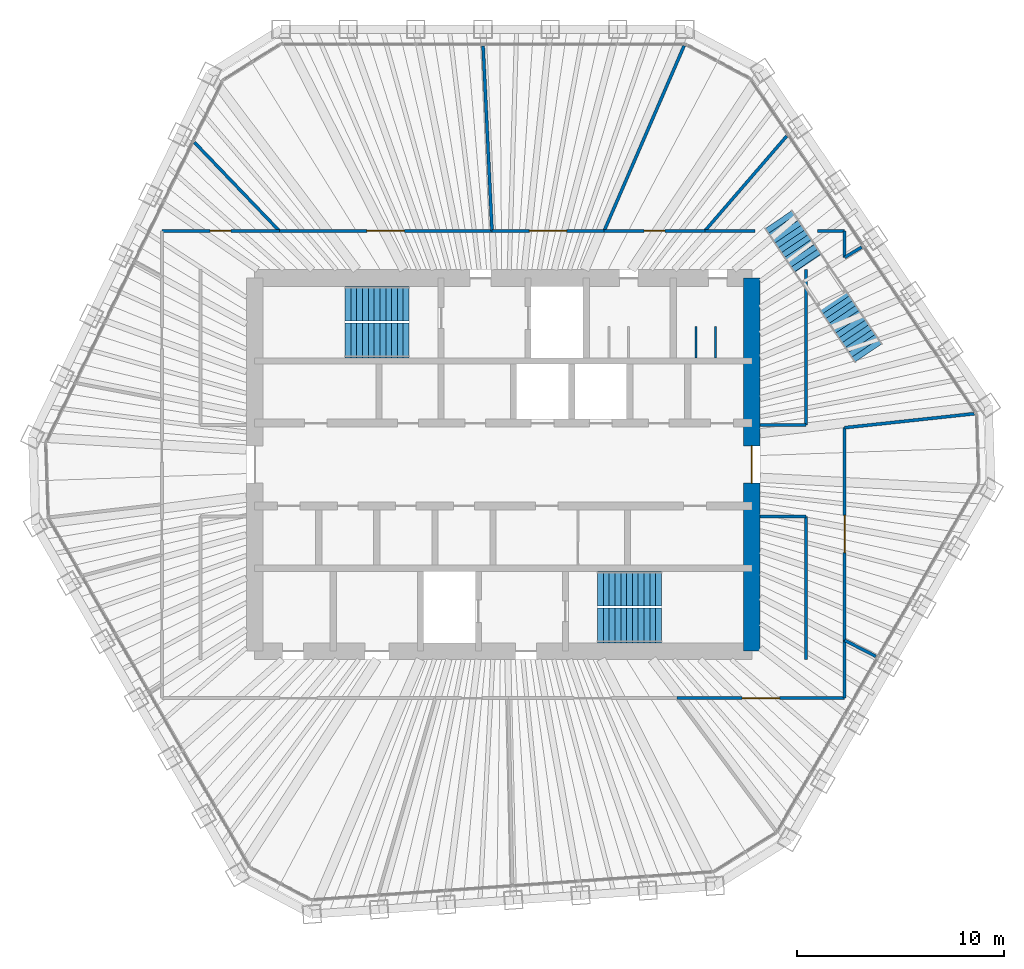
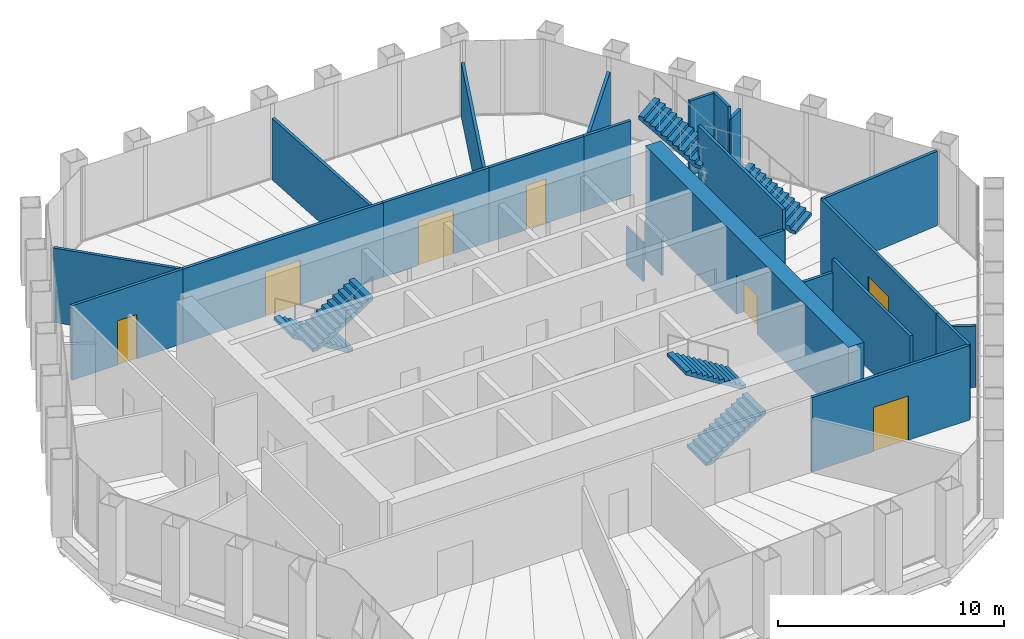
# One storey, part 13 of 14: 24 walls, 7 doors, 6 stair flights, 7 openings, 3 elements without a shape of their own.
"""IFC4 building model written with IfcOpenShell, lengths in metres."""

from ifc_helpers import new_model, si_unit, direction, frame, frame_2d, origin, place, context, subcontext, project, spatial, polyline, rectangle, outline, extrude, material, layer, layer_set, constituent, constituent_set, type_object, element, fill, aggregate, save


model = new_model("IFC4")

# Units and contexts
model_context = context("Model", 3, precision=1e-05, world=origin(), true_north=direction((0.0, 1.0)))
body_context = subcontext(model_context, "Body", "Model", "MODEL_VIEW")
ifc_project = project(units=[si_unit("LENGTHUNIT", "METRE"), si_unit("AREAUNIT", "SQUARE_METRE"), si_unit("VOLUMEUNIT", "CUBIC_METRE"), si_unit("PLANEANGLEUNIT", "RADIAN"), si_unit("MASSUNIT", "GRAM", prefix="KILO")], contexts=[model_context])

# Site, building, storey
site_placement = place(None, origin())
site = spatial("IfcSite", under=ifc_project, at=site_placement, CompositionType="ELEMENT")
building_placement = place(site_placement, origin())
building = spatial("IfcBuilding", under=site, at=building_placement, Name="Qingtian Harvest Tower", CompositionType="ELEMENT")
storey_placement = place(building_placement, frame((0.0, 0.0, 325.0)))
storey = spatial("IfcBuildingStorey", under=building, at=storey_placement, Name="L72", CompositionType="ELEMENT", Elevation=325.0)

# Wall, opening, door
ifc_material_1 = material(Name="Concrete fc' 70 MPa", Category="concrete")
ifc_layer_1 = layer(ifc_material_1, 0.800048828125)
ifc_layer_set_1 = layer_set([ifc_layer_1], Name="Core wall RC4 800")
wall_type_1 = type_object("IfcWallType", Name="Core wall RC4 800", PredefinedType="SHEAR", material=ifc_layer_set_1)
wall_1_placement = place(storey_placement, frame((12.0, -9.0, 0.0), z_axis=(0.0, 0.0, 1.0), x_axis=(0.0, 1.0, 0.0)))
wall_1 = element("IfcWall", 1, at=wall_1_placement, inside=storey, type_object=wall_type_1, Name="Core wall CE L72", PredefinedType="SHEAR", context=body_context, shape_type="SweptSolid", body=[
    extrude(rectangle(XDim=18.0, YDim=0.800048828125, at=frame_2d((9.0, 0.0))), origin(), (0.0, 0.0, 1.0), 4.199951171875),
])
opening_1_placement = place(wall_1_placement, frame((8.10009765625, 0.0, 0.0)))
opening_1 = element("IfcOpeningElement", 2, at=opening_1_placement, cuts=wall_1, Name="Opening FD2", PredefinedType="OPENING", context=body_context, shape_type="SweptSolid", body=[
    extrude(rectangle(XDim=1.800048828125, YDim=2.10009765625, at=frame_2d((0.89990234375, 1.050048828125))), frame((0.0, 0.409912109375, 0.0), z_axis=(0.0, -1.0, 0.0), x_axis=(1.0, 0.0, 0.0)), (0.0, 0.0, 1.0), 0.820068359375),
])
ifc_material_2 = material(Name="Steel-faced door leaf", Category="steel")
door_type_1 = type_object("IfcDoorType", Name="Fire door FD2 double 1 HR", OperationType="DOUBLE_DOOR_DOUBLE_SWING", PredefinedType="DOOR", material=ifc_material_2)
door_1_placement = place(opening_1_placement, origin())
door_1 = element("IfcDoor", 3, at=door_1_placement, inside=storey, type_object=door_type_1, Name="LOBBY-E door L72", OperationType="DOUBLE_DOOR_DOUBLE_SWING", OverallHeight=2.10009765625, OverallWidth=1.800048828125, PredefinedType="DOOR", context=body_context, shape_type="SweptSolid", body=[
    extrude(rectangle(XDim=1.800048828125, YDim=2.10009765625, at=frame_2d((0.89990234375, 1.050048828125))), frame((0.0, 0.02490234375, 0.0), z_axis=(0.0, -1.0, 0.0), x_axis=(1.0, 0.0, 0.0)), (0.0, 0.0, 1.0), 0.050048828125),
])
fill(opening_1, door_1)

# Walls
ifc_material_3 = material(Name="Gypsum board on steel studs", Category="steel")
ifc_layer_2 = layer(ifc_material_3, 0.14990234375)
ifc_layer_set_2 = layer_set([ifc_layer_2], Name="Partition PT1 150")
wall_type_2 = type_object("IfcWallType", Name="Partition PT1 150", PredefinedType="PARTITIONING", material=ifc_layer_set_2)
wall_2_placement = place(storey_placement, frame((17.98046875, -9.257080078125, 0.0), z_axis=(0.0, 0.0, 1.0), x_axis=(-0.889058145064, 0.457794292991, 0.0)))
element("IfcWall", 4, at=wall_2_placement, inside=storey, type_object=wall_type_2, Name="Conference room wall L72", PredefinedType="PARTITIONING", context=body_context, shape_type="SweptSolid", body=[
    extrude(rectangle(XDim=1.693115234375, YDim=0.14990234375, at=frame_2d((0.8466796875, 0.0))), origin(), (0.0, 0.0, 1.0), 3.330078125),
])
wall_3_placement = place(storey_placement, frame((16.47509765625, -8.48193359375, 0.0), z_axis=(0.0, 0.0, 1.0), x_axis=(0.0, -1.0, 0.0)))
element("IfcWall", 5, at=wall_3_placement, inside=storey, type_object=wall_type_2, Name="Conference room wall L72", PredefinedType="PARTITIONING", context=body_context, shape_type="SweptSolid", body=[
    extrude(rectangle(XDim=2.79296875, YDim=0.14990234375, at=frame_2d((1.396484375, 0.0))), origin(), (0.0, 0.0, 1.0), 4.030029296875),
])

# Wall, opening, door
wall_4_placement = place(storey_placement, frame((16.47509765625, -11.27490234375, 0.0), z_axis=(0.0, 0.0, 1.0), x_axis=(-1.0, 0.0, 0.0)))
wall_4 = element("IfcWall", 6, at=wall_4_placement, inside=storey, type_object=wall_type_2, Name="Conference room wall L72", PredefinedType="PARTITIONING", context=body_context, shape_type="SweptSolid", body=[
    extrude(rectangle(XDim=8.087890625, YDim=0.14990234375, at=frame_2d((4.0439453125, 0.0))), origin(), (0.0, 0.0, 1.0), 4.030029296875),
])
opening_2_placement = place(wall_4_placement, frame((3.14404296875, 0.0, 0.0)))
opening_2 = element("IfcOpeningElement", 7, at=opening_2_placement, cuts=wall_4, Name="Opening D3", PredefinedType="OPENING", context=body_context, shape_type="SweptSolid", body=[
    extrude(rectangle(XDim=1.800048828125, YDim=2.39990234375, at=frame_2d((0.89990234375, 1.199951171875))), frame((0.0, 0.0849609375, 0.0), z_axis=(0.0, -1.0, 0.0), x_axis=(1.0, 0.0, 0.0)), (0.0, 0.0, 1.0), 0.169921875),
])
ifc_material_4 = material(Name="Laminated timber door leaf", Category="wood")
door_type_2 = type_object("IfcDoorType", Name="Room door D3 double", OperationType="DOUBLE_DOOR_DOUBLE_SWING", PredefinedType="DOOR", material=ifc_material_4)
door_2_placement = place(opening_2_placement, origin())
door_2 = element("IfcDoor", 8, at=door_2_placement, inside=storey, type_object=door_type_2, Name="Conference room door L72", OperationType="DOUBLE_DOOR_DOUBLE_SWING", OverallHeight=2.39990234375, OverallWidth=1.800048828125, PredefinedType="DOOR", context=body_context, shape_type="SweptSolid", body=[
    extrude(rectangle(XDim=1.800048828125, YDim=2.39990234375, at=frame_2d((0.89990234375, 1.199951171875))), frame((0.0, 0.02490234375, 0.0), z_axis=(0.0, -1.0, 0.0), x_axis=(1.0, 0.0, 0.0)), (0.0, 0.0, 1.0), 0.050048828125),
])
fill(opening_2, door_2)

wall_5_placement = place(storey_placement, frame((-16.47509765625, 11.27490234375, 0.0), z_axis=(0.0, 0.0, 1.0), x_axis=(1.0, 0.0, 0.0)))
wall_5 = element("IfcWall", 9, at=wall_5_placement, inside=storey, type_object=wall_type_2, Name="Pantry wall L72", PredefinedType="PARTITIONING", context=body_context, shape_type="SweptSolid", body=[
    extrude(rectangle(XDim=5.667724609375, YDim=0.14990234375, at=frame_2d((2.833984375, 0.0))), origin(), (0.0, 0.0, 1.0), 4.030029296875),
])
opening_3_placement = place(wall_5_placement, frame((2.333740234375, 0.0, 0.0)))
opening_3 = element("IfcOpeningElement", 10, at=opening_3_placement, cuts=wall_5, Name="Opening D2", PredefinedType="OPENING", context=body_context, shape_type="SweptSolid", body=[
    extrude(rectangle(XDim=1.0, YDim=2.39990234375, at=frame_2d((0.5, 1.199951171875))), frame((0.0, 0.0849609375, 0.0), z_axis=(0.0, -1.0, 0.0), x_axis=(1.0, 0.0, 0.0)), (0.0, 0.0, 1.0), 0.169921875),
])
ifc_material_5 = material(Name="Laminated timber door leaf", Category="wood")
door_type_3 = type_object("IfcDoorType", Name="Room door D2 single", OperationType="SINGLE_SWING_LEFT", PredefinedType="DOOR", material=ifc_material_5)
door_3_placement = place(opening_3_placement, origin())
door_3 = element("IfcDoor", 11, at=door_3_placement, inside=storey, type_object=door_type_3, Name="Pantry door L72", OperationType="SINGLE_SWING_RIGHT", OverallHeight=2.39990234375, OverallWidth=1.0, PredefinedType="DOOR", context=body_context, shape_type="SweptSolid", body=[
    extrude(rectangle(XDim=1.0, YDim=2.39990234375, at=frame_2d((0.5, 1.199951171875))), frame((0.0, 0.02490234375, 0.0), z_axis=(0.0, -1.0, 0.0), x_axis=(1.0, 0.0, 0.0)), (0.0, 0.0, 1.0), 0.050048828125),
])
fill(opening_3, door_3)

# Wall
wall_6_placement = place(storey_placement, frame((-14.89990234375, 15.54443359375, 0.0), z_axis=(0.0, 0.0, 1.0), x_axis=(0.691984258941, -0.72191258846, 0.0)))
element("IfcWall", 12, at=wall_6_placement, inside=storey, type_object=wall_type_2, Name="Meeting room wall L72", PredefinedType="PARTITIONING", context=body_context, shape_type="SweptSolid", body=[
    extrude(rectangle(XDim=5.914306640625, YDim=0.14990234375, at=frame_2d((2.95703125, 0.0))), origin(), (0.0, 0.0, 1.0), 4.030029296875),
])

# Wall, opening, door
wall_7_placement = place(storey_placement, frame((-10.807373046875, 11.27490234375, 0.0), z_axis=(0.0, 0.0, 1.0), x_axis=(1.0, 0.0, 0.0)))
wall_7 = element("IfcWall", 13, at=wall_7_placement, inside=storey, type_object=wall_type_2, Name="Meeting room wall L72", PredefinedType="PARTITIONING", context=body_context, shape_type="SweptSolid", body=[
    extrude(rectangle(XDim=10.26416015625, YDim=0.14990234375, at=frame_2d((5.132080078125, 0.0))), origin(), (0.0, 0.0, 1.0), 4.030029296875),
])
opening_4_placement = place(wall_7_placement, frame((4.23193359375, 0.0, 0.0)))
opening_4 = element("IfcOpeningElement", 14, at=opening_4_placement, cuts=wall_7, Name="Opening D3", PredefinedType="OPENING", context=body_context, shape_type="SweptSolid", body=[
    extrude(rectangle(XDim=1.800048828125, YDim=2.39990234375, at=frame_2d((0.89990234375, 1.199951171875))), frame((0.0, 0.0849609375, 0.0), z_axis=(0.0, -1.0, 0.0), x_axis=(1.0, 0.0, 0.0)), (0.0, 0.0, 1.0), 0.169921875),
])
door_4_placement = place(opening_4_placement, origin())
door_4 = element("IfcDoor", 15, at=door_4_placement, inside=storey, type_object=door_type_2, Name="Meeting room door L72", OperationType="DOUBLE_DOOR_DOUBLE_SWING", OverallHeight=2.39990234375, OverallWidth=1.800048828125, PredefinedType="DOOR", context=body_context, shape_type="SweptSolid", body=[
    extrude(rectangle(XDim=1.800048828125, YDim=2.39990234375, at=frame_2d((0.89990234375, 1.199951171875))), frame((0.0, 0.02490234375, 0.0), z_axis=(0.0, -1.0, 0.0), x_axis=(1.0, 0.0, 0.0)), (0.0, 0.0, 1.0), 0.050048828125),
])
fill(opening_4, door_4)

# Wall
wall_8_placement = place(storey_placement, frame((-0.973388671875, 20.2001953125, 0.0), z_axis=(0.0, 0.0, 1.0), x_axis=(0.04814150135, -0.998840525734, 0.0)))
element("IfcWall", 16, at=wall_8_placement, inside=storey, type_object=wall_type_2, Name="Meeting room wall L72", PredefinedType="PARTITIONING", context=body_context, shape_type="SweptSolid", body=[
    extrude(rectangle(XDim=8.935546875, YDim=0.14990234375, at=frame_2d((4.4677734375, 0.0))), origin(), (0.0, 0.0, 1.0), 3.330078125),
])

# Wall, opening, door
wall_9_placement = place(storey_placement, frame((-0.543212890625, 11.27490234375, 0.0), z_axis=(0.0, 0.0, 1.0), x_axis=(1.0, 0.0, 0.0)))
wall_9 = element("IfcWall", 17, at=wall_9_placement, inside=storey, type_object=wall_type_2, Name="Meeting room wall L72", PredefinedType="PARTITIONING", context=body_context, shape_type="SweptSolid", body=[
    extrude(rectangle(XDim=5.411865234375, YDim=0.14990234375, at=frame_2d((2.7060546875, 0.0))), origin(), (0.0, 0.0, 1.0), 4.030029296875),
])
opening_5_placement = place(wall_9_placement, frame((1.805908203125, 0.0, 0.0)))
opening_5 = element("IfcOpeningElement", 18, at=opening_5_placement, cuts=wall_9, Name="Opening D3", PredefinedType="OPENING", context=body_context, shape_type="SweptSolid", body=[
    extrude(rectangle(XDim=1.800048828125, YDim=2.39990234375, at=frame_2d((0.89990234375, 1.199951171875))), frame((0.0, 0.0849609375, 0.0), z_axis=(0.0, -1.0, 0.0), x_axis=(1.0, 0.0, 0.0)), (0.0, 0.0, 1.0), 0.169921875),
])
door_5_placement = place(opening_5_placement, origin())
door_5 = element("IfcDoor", 19, at=door_5_placement, inside=storey, type_object=door_type_2, Name="Meeting room door L72", OperationType="DOUBLE_DOOR_DOUBLE_SWING", OverallHeight=2.39990234375, OverallWidth=1.800048828125, PredefinedType="DOOR", context=body_context, shape_type="SweptSolid", body=[
    extrude(rectangle(XDim=1.800048828125, YDim=2.39990234375, at=frame_2d((0.89990234375, 1.199951171875))), frame((0.0, 0.02490234375, 0.0), z_axis=(0.0, -1.0, 0.0), x_axis=(1.0, 0.0, 0.0)), (0.0, 0.0, 1.0), 0.050048828125),
])
fill(opening_5, door_5)

# Wall
wall_10_placement = place(storey_placement, frame((8.726318359375, 20.208251953125, 0.0), z_axis=(0.0, 0.0, 1.0), x_axis=(-0.39644322536, -0.918059240499, 0.0)))
element("IfcWall", 20, at=wall_10_placement, inside=storey, type_object=wall_type_2, Name="Print room wall L72", PredefinedType="PARTITIONING", context=body_context, shape_type="SweptSolid", body=[
    extrude(rectangle(XDim=9.730712890625, YDim=0.14990234375, at=frame_2d((4.865234375, 0.0))), origin(), (0.0, 0.0, 1.0), 2.929931640625),
])

# Wall, opening, door
wall_11_placement = place(storey_placement, frame((4.86865234375, 11.27490234375, 0.0), z_axis=(0.0, 0.0, 1.0), x_axis=(1.0, 0.0, 0.0)))
wall_11 = element("IfcWall", 21, at=wall_11_placement, inside=storey, type_object=wall_type_2, Name="Print room wall L72", PredefinedType="PARTITIONING", context=body_context, shape_type="SweptSolid", body=[
    extrude(rectangle(XDim=4.861328125, YDim=0.14990234375, at=frame_2d((2.4306640625, 0.0))), origin(), (0.0, 0.0, 1.0), 4.030029296875),
])
opening_6_placement = place(wall_11_placement, frame((1.9306640625, 0.0, 0.0)))
opening_6 = element("IfcOpeningElement", 22, at=opening_6_placement, cuts=wall_11, Name="Opening D2", PredefinedType="OPENING", context=body_context, shape_type="SweptSolid", body=[
    extrude(rectangle(XDim=1.0, YDim=2.39990234375, at=frame_2d((0.5, 1.199951171875))), frame((0.0, 0.0849609375, 0.0), z_axis=(0.0, -1.0, 0.0), x_axis=(1.0, 0.0, 0.0)), (0.0, 0.0, 1.0), 0.169921875),
])
door_6_placement = place(opening_6_placement, origin())
door_6 = element("IfcDoor", 23, at=door_6_placement, inside=storey, type_object=door_type_3, Name="Print room door L72", OperationType="SINGLE_SWING_LEFT", OverallHeight=2.39990234375, OverallWidth=1.0, PredefinedType="DOOR", context=body_context, shape_type="SweptSolid", body=[
    extrude(rectangle(XDim=1.0, YDim=2.39990234375, at=frame_2d((0.5, 1.199951171875))), frame((0.0, 0.02490234375, 0.0), z_axis=(0.0, -1.0, 0.0), x_axis=(1.0, 0.0, 0.0)), (0.0, 0.0, 1.0), 0.050048828125),
])
fill(opening_6, door_6)

# Walls
wall_12_placement = place(storey_placement, frame((13.678466796875, 15.850341796875, 0.0), z_axis=(0.0, 0.0, 1.0), x_axis=(-0.65333269737, -0.757070925704, 0.0)))
element("IfcWall", 24, at=wall_12_placement, inside=storey, type_object=wall_type_2, Name="Workplace zone wall L72", PredefinedType="PARTITIONING", context=body_context, shape_type="SweptSolid", body=[
    extrude(rectangle(XDim=6.043701171875, YDim=0.14990234375, at=frame_2d((3.02197265625, 0.0))), origin(), (0.0, 0.0, 1.0), 3.330078125),
])
wall_13_placement = place(storey_placement, frame((9.72998046875, 11.27490234375, 0.0), z_axis=(0.0, 0.0, 1.0), x_axis=(1.0, 0.0, 0.0)))
element("IfcWall", 25, at=wall_13_placement, inside=storey, type_object=wall_type_2, Name="Workplace zone wall L72", PredefinedType="PARTITIONING", context=body_context, shape_type="SweptSolid", body=[
    extrude(rectangle(XDim=2.407958984375, YDim=0.14990234375, at=frame_2d((1.2041015625, 0.0))), origin(), (0.0, 0.0, 1.0), 4.030029296875),
])
wall_14_placement = place(storey_placement, frame((15.153564453125, 11.27490234375, 0.0), z_axis=(0.0, 0.0, 1.0), x_axis=(1.0, 0.0, 0.0)))
element("IfcWall", 26, at=wall_14_placement, inside=storey, type_object=wall_type_2, Name="Workplace zone wall L72", PredefinedType="PARTITIONING", context=body_context, shape_type="SweptSolid", body=[
    extrude(rectangle(XDim=1.321533203125, YDim=0.14990234375, at=frame_2d((0.66064453125, 0.0))), origin(), (0.0, 0.0, 1.0), 4.030029296875),
])
wall_15_placement = place(storey_placement, frame((16.47509765625, 11.27490234375, 0.0), z_axis=(0.0, 0.0, 1.0), x_axis=(0.0, -1.0, 0.0)))
element("IfcWall", 27, at=wall_15_placement, inside=storey, type_object=wall_type_2, Name="Workplace zone wall L72", PredefinedType="PARTITIONING", context=body_context, shape_type="SweptSolid", body=[
    extrude(rectangle(XDim=1.281005859375, YDim=0.14990234375, at=frame_2d((0.640625, 0.0))), origin(), (0.0, 0.0, 1.0), 4.030029296875),
])
wall_16_placement = place(storey_placement, frame((17.291015625, 10.48876953125, 0.0), z_axis=(0.0, 0.0, 1.0), x_axis=(-0.855022525175, -0.518590861319, 0.0)))
element("IfcWall", 28, at=wall_16_placement, inside=storey, type_object=wall_type_2, Name="Breakout lounge wall L72", PredefinedType="PARTITIONING", context=body_context, shape_type="SweptSolid", body=[
    extrude(rectangle(XDim=0.954345703125, YDim=0.14990234375, at=frame_2d((0.47705078125, 0.0))), origin(), (0.0, 0.0, 1.0), 3.330078125),
])
wall_17_placement = place(storey_placement, frame((22.725830078125, 2.45166015625, 0.0), z_axis=(0.0, 0.0, 1.0), x_axis=(-0.994231470971, -0.107255685772, 0.0)))
element("IfcWall", 29, at=wall_17_placement, inside=storey, type_object=wall_type_2, Name="Meeting room wall L72", PredefinedType="PARTITIONING", context=body_context, shape_type="SweptSolid", body=[
    extrude(rectangle(XDim=6.287109375, YDim=0.14990234375, at=frame_2d((3.1435546875, 0.0))), origin(), (0.0, 0.0, 1.0), 4.030029296875),
])

# Wall, opening, door
wall_18_placement = place(storey_placement, frame((16.47509765625, 1.77734375, 0.0), z_axis=(0.0, 0.0, 1.0), x_axis=(0.0, -1.0, 0.0)))
wall_18 = element("IfcWall", 30, at=wall_18_placement, inside=storey, type_object=wall_type_2, Name="Meeting room wall L72", PredefinedType="PARTITIONING", context=body_context, shape_type="SweptSolid", body=[
    extrude(rectangle(XDim=10.25927734375, YDim=0.14990234375, at=frame_2d((5.129638671875, 0.0))), origin(), (0.0, 0.0, 1.0), 4.030029296875),
])
opening_7_placement = place(wall_18_placement, frame((4.229736328125, 0.0, 0.0)))
opening_7 = element("IfcOpeningElement", 31, at=opening_7_placement, cuts=wall_18, Name="Opening D3", PredefinedType="OPENING", context=body_context, shape_type="SweptSolid", body=[
    extrude(rectangle(XDim=1.800048828125, YDim=2.39990234375, at=frame_2d((0.89990234375, 1.199951171875))), frame((0.0, 0.0849609375, 0.0), z_axis=(0.0, -1.0, 0.0), x_axis=(1.0, 0.0, 0.0)), (0.0, 0.0, 1.0), 0.169921875),
])
door_7_placement = place(opening_7_placement, origin())
door_7 = element("IfcDoor", 32, at=door_7_placement, inside=storey, type_object=door_type_2, Name="Meeting room door L72", OperationType="DOUBLE_DOOR_DOUBLE_SWING", OverallHeight=2.39990234375, OverallWidth=1.800048828125, PredefinedType="DOOR", context=body_context, shape_type="SweptSolid", body=[
    extrude(rectangle(XDim=1.800048828125, YDim=2.39990234375, at=frame_2d((0.89990234375, 1.199951171875))), frame((0.0, 0.02490234375, 0.0), z_axis=(0.0, -1.0, 0.0), x_axis=(1.0, 0.0, 0.0)), (0.0, 0.0, 1.0), 0.050048828125),
])
fill(opening_7, door_7)

# Walls
wall_19_placement = place(storey_placement, frame((14.60009765625, 1.89990234375, 0.0), z_axis=(0.0, 0.0, 1.0), x_axis=(0.0, 1.0, 0.0)))
element("IfcWall", 33, at=wall_19_placement, inside=storey, type_object=wall_type_2, Name="Coffee point wall L72", PredefinedType="PARTITIONING", context=body_context, shape_type="SweptSolid", body=[
    extrude(rectangle(XDim=7.5, YDim=0.14990234375, at=frame_2d((3.75, 0.0))), origin(), (0.0, 0.0, 1.0), 4.030029296875),
])
wall_20_placement = place(storey_placement, frame((12.39990234375, 1.89990234375, 0.0), z_axis=(0.0, 0.0, 1.0), x_axis=(1.0, 0.0, 0.0)))
element("IfcWall", 34, at=wall_20_placement, inside=storey, type_object=wall_type_2, Name="Coffee point wall L72", PredefinedType="PARTITIONING", context=body_context, shape_type="SweptSolid", body=[
    extrude(rectangle(XDim=2.2001953125, YDim=0.14990234375, at=frame_2d((1.10009765625, 0.0))), origin(), (0.0, 0.0, 1.0), 2.929931640625),
])
wall_21_placement = place(storey_placement, frame((14.60009765625, -9.39990234375, 0.0), z_axis=(0.0, 0.0, 1.0), x_axis=(0.0, 1.0, 0.0)))
element("IfcWall", 35, at=wall_21_placement, inside=storey, type_object=wall_type_2, Name="Print area wall L72", PredefinedType="PARTITIONING", context=body_context, shape_type="SweptSolid", body=[
    extrude(rectangle(XDim=6.89990234375, YDim=0.14990234375, at=frame_2d((3.449951171875, 0.0))), origin(), (0.0, 0.0, 1.0), 4.030029296875),
])
wall_22_placement = place(storey_placement, frame((12.39990234375, -2.5, 0.0), z_axis=(0.0, 0.0, 1.0), x_axis=(1.0, 0.0, 0.0)))
element("IfcWall", 36, at=wall_22_placement, inside=storey, type_object=wall_type_2, Name="Print area wall L72", PredefinedType="PARTITIONING", context=body_context, shape_type="SweptSolid", body=[
    extrude(rectangle(XDim=2.2001953125, YDim=0.14990234375, at=frame_2d((1.10009765625, 0.0))), origin(), (0.0, 0.0, 1.0), 3.330078125),
])
ifc_material_6 = material(Name="Compact laminate cubicle partition", Category="plastic")
ifc_layer_3 = layer(ifc_material_6, 0.10009765625)
ifc_layer_set_3 = layer_set([ifc_layer_3], Name="WC cubicle partition WP1 100")
wall_type_3 = type_object("IfcWallType", Name="WC cubicle partition WP1 100", PredefinedType="PARTITIONING", material=ifc_layer_set_3)
for number, where, z_axis, x_axis, name in (
    (37, (9.300048828125, 5.14990234375, 0.0), (0.0, 0.0, 1.0), (0.0, 1.0, 0.0), "WC cubicle partition WCF L72"),
    (38, (10.25, 5.14990234375, 0.0), (0.0, 0.0, 1.0), (0.0, 1.0, 0.0), "WC cubicle partition WCF L72"),
):
    element("IfcWall", number, at=place(storey_placement, frame(where, z_axis=z_axis, x_axis=x_axis)), inside=storey, type_object=wall_type_3, Name=name, PredefinedType="PARTITIONING", context=body_context, shape_type="SweptSolid", body=[
        extrude(rectangle(XDim=1.5, YDim=0.10009765625, at=frame_2d((0.75, 0.0))), origin(), (0.0, 0.0, 1.0), 2.10009765625),
    ])

# Stair, stair flights
ifc_material_7 = material(Name="Steel SN490B (325 MPa)", Category="steel")
ifc_constituent_1 = constituent(ifc_material_7, Name="Stringers")
ifc_material_8 = material(Name="Terrazzo treads")
ifc_constituent_2 = constituent(ifc_material_8, Name="Treads")
ifc_constituent_set_1 = constituent_set(constituents=[ifc_constituent_1, ifc_constituent_2], Name="Steel SN490B (325 MPa)")
stair_type_1 = type_object("IfcStairType", Name="Feature stair FS4200 straight run", PredefinedType="STRAIGHT_RUN_STAIR", material=ifc_constituent_set_1)
stair_1_placement = place(storey_placement, origin())
stair_1 = element("IfcStair", 39, at=stair_1_placement, inside=storey, type_object=stair_type_1, Name="Feature stair FS5 L72 to L73", PredefinedType="STRAIGHT_RUN_STAIR")
ifc_material_9 = material(Name="Steel SN490B (325 MPa)", Category="steel")
ifc_constituent_3 = constituent(ifc_material_9, Name="Stringers")
ifc_material_10 = material(Name="Terrazzo treads")
ifc_constituent_4 = constituent(ifc_material_10, Name="Treads")
ifc_constituent_set_2 = constituent_set(constituents=[ifc_constituent_3, ifc_constituent_4], Name="Steel SN490B (325 MPa)")
stair_flight_type_1 = type_object("IfcStairFlightType", Name="Feature stair flight FF4200", PredefinedType="STRAIGHT", material=ifc_constituent_set_2)
stair_flight_1_placement = place(storey_placement, frame((17.61962890625, 5.38330078125, 0.0), z_axis=(0.0, 0.0, 1.0), x_axis=(-0.559192903471, 0.829037572555, 0.0)))
stair_flight_1 = element("IfcStairFlight", 40, at=stair_flight_1_placement, type_object=stair_flight_type_1, Name="FS5 flight 1", NumberOfRisers=12, NumberOfTreads=11, PredefinedType="STRAIGHT", RiserHeight=0.175, TreadLength=0.28, context=body_context, shape_type="SweptSolid", body=[
    extrude(outline(polyline([(0.0, 0.0), (0.0, 0.175048828125), (0.280029296875, 0.175048828125), (0.280029296875, 0.35009765625), (0.56005859375, 0.35009765625), (0.56005859375, 0.52490234375), (0.840087890625, 0.52490234375), (0.840087890625, 0.699951171875), (1.1201171875, 0.699951171875), (1.1201171875, 0.875), (1.39990234375, 0.875), (1.39990234375, 1.050048828125), (1.679931640625, 1.050048828125), (1.679931640625, 1.22509765625), (1.9599609375, 1.22509765625), (1.9599609375, 1.39990234375), (2.239990234375, 1.39990234375), (2.239990234375, 1.574951171875), (2.52001953125, 1.574951171875), (2.52001953125, 1.75), (2.800048828125, 1.75), (2.800048828125, 1.925048828125), (3.080078125, 1.925048828125), (3.080078125, 2.10009765625), (3.080078125, 1.748291015625), (0.28271484375, 0.0), (0.0, 0.0)])), frame((0.0, 0.800048828125, 0.0), z_axis=(0.0, -1.0, 0.0), x_axis=(1.0, 0.0, 0.0)), (0.0, 0.0, 1.0), 1.60009765625),
])
stair_flight_2_placement = place(storey_placement, frame((15.002685546875, 9.26318359375, 2.10009765625), z_axis=(0.0, 0.0, 1.0), x_axis=(-0.559192903471, 0.829037572555, 0.0)))
stair_flight_2 = element("IfcStairFlight", 41, at=stair_flight_2_placement, type_object=stair_flight_type_1, Name="FS5 flight 2", NumberOfRisers=12, NumberOfTreads=11, PredefinedType="STRAIGHT", RiserHeight=0.175, TreadLength=0.28, context=body_context, shape_type="SweptSolid", body=[
    extrude(outline(polyline([(0.0, 0.0), (0.0, 0.175048828125), (0.280029296875, 0.175048828125), (0.280029296875, 0.35009765625), (0.56005859375, 0.35009765625), (0.56005859375, 0.52490234375), (0.840087890625, 0.52490234375), (0.840087890625, 0.699951171875), (1.1201171875, 0.699951171875), (1.1201171875, 0.875), (1.39990234375, 0.875), (1.39990234375, 1.050048828125), (1.679931640625, 1.050048828125), (1.679931640625, 1.22509765625), (1.9599609375, 1.22509765625), (1.9599609375, 1.39990234375), (2.239990234375, 1.39990234375), (2.239990234375, 1.574951171875), (2.52001953125, 1.574951171875), (2.52001953125, 1.75), (2.800048828125, 1.75), (2.800048828125, 1.925048828125), (3.080078125, 1.925048828125), (3.080078125, 2.10009765625), (3.080078125, 1.748291015625), (0.28271484375, 0.0), (0.0, 0.0)])), frame((0.0, 0.800048828125, 0.0), z_axis=(0.0, -1.0, 0.0), x_axis=(1.0, 0.0, 0.0)), (0.0, 0.0, 1.0), 1.60009765625),
])
aggregate(stair_1, [stair_flight_1, stair_flight_2])

ifc_material_11 = material(Name="Concrete fc' 35 MPa", Category="concrete")
stair_type_2 = type_object("IfcStairType", Name="Special stair ST7 4200", PredefinedType="HALF_TURN_STAIR", material=ifc_material_11)
stair_2_placement = place(storey_placement, origin())
stair_2 = element("IfcStair", 42, at=stair_2_placement, inside=storey, type_object=stair_type_2, Name="Special stair S1 L72", PredefinedType="HALF_TURN_STAIR")
ifc_material_12 = material(Name="Concrete fc' 35 MPa", Category="concrete")
stair_flight_type_2 = type_object("IfcStairFlightType", Name="Stair flight SF7 4200", PredefinedType="STRAIGHT", material=ifc_material_12)
stair_flight_3_placement = place(storey_placement, frame((-4.550048828125, 7.762451171875, 0.0), z_axis=(0.0, 0.0, 1.0), x_axis=(-1.0, 0.0, 0.0)))
stair_flight_3 = element("IfcStairFlight", 43, at=stair_flight_3_placement, type_object=stair_flight_type_2, Name="S1 flight 1", NumberOfRisers=12, NumberOfTreads=11, PredefinedType="STRAIGHT", RiserHeight=0.175, TreadLength=0.28, context=body_context, shape_type="SweptSolid", body=[
    extrude(outline(polyline([(0.0, 0.0), (0.0, 0.175048828125), (0.280029296875, 0.175048828125), (0.280029296875, 0.35009765625), (0.56005859375, 0.35009765625), (0.56005859375, 0.52490234375), (0.840087890625, 0.52490234375), (0.840087890625, 0.699951171875), (1.1201171875, 0.699951171875), (1.1201171875, 0.875), (1.39990234375, 0.875), (1.39990234375, 1.050048828125), (1.679931640625, 1.050048828125), (1.679931640625, 1.22509765625), (1.9599609375, 1.22509765625), (1.9599609375, 1.39990234375), (2.239990234375, 1.39990234375), (2.239990234375, 1.574951171875), (2.52001953125, 1.574951171875), (2.52001953125, 1.75), (2.800048828125, 1.75), (2.800048828125, 1.925048828125), (3.080078125, 1.925048828125), (3.080078125, 2.10009765625), (3.080078125, 1.748291015625), (0.28271484375, 0.0), (0.0, 0.0)])), frame((0.0, 0.83740234375, 0.0), z_axis=(0.0, -1.0, 0.0), x_axis=(1.0, 0.0, 0.0)), (0.0, 0.0, 1.0), 1.675048828125),
])
stair_flight_4_placement = place(storey_placement, frame((-7.6298828125, 5.987548828125, 2.10009765625), z_axis=(0.0, 0.0, 1.0), x_axis=(1.0, 0.0, 0.0)))
stair_flight_4 = element("IfcStairFlight", 44, at=stair_flight_4_placement, type_object=stair_flight_type_2, Name="S1 flight 2", NumberOfRisers=12, NumberOfTreads=11, PredefinedType="STRAIGHT", RiserHeight=0.175, TreadLength=0.28, context=body_context, shape_type="SweptSolid", body=[
    extrude(outline(polyline([(0.0, 0.0), (0.0, 0.175048828125), (0.280029296875, 0.175048828125), (0.280029296875, 0.35009765625), (0.56005859375, 0.35009765625), (0.56005859375, 0.52490234375), (0.840087890625, 0.52490234375), (0.840087890625, 0.699951171875), (1.1201171875, 0.699951171875), (1.1201171875, 0.875), (1.39990234375, 0.875), (1.39990234375, 1.050048828125), (1.679931640625, 1.050048828125), (1.679931640625, 1.22509765625), (1.9599609375, 1.22509765625), (1.9599609375, 1.39990234375), (2.239990234375, 1.39990234375), (2.239990234375, 1.574951171875), (2.52001953125, 1.574951171875), (2.52001953125, 1.75), (2.800048828125, 1.75), (2.800048828125, 1.925048828125), (3.080078125, 1.925048828125), (3.080078125, 2.10009765625), (3.080078125, 1.748291015625), (0.28271484375, 0.0), (0.0, 0.0)])), frame((0.0, 0.83740234375, 0.0), z_axis=(0.0, -1.0, 0.0), x_axis=(1.0, 0.0, 0.0)), (0.0, 0.0, 1.0), 1.675048828125),
])
aggregate(stair_2, [stair_flight_3, stair_flight_4])

stair_3_placement = place(storey_placement, origin())
stair_3 = element("IfcStair", 45, at=stair_3_placement, inside=storey, type_object=stair_type_2, Name="Special stair S2 L72", PredefinedType="HALF_TURN_STAIR")
stair_flight_5_placement = place(storey_placement, frame((4.550048828125, -7.762451171875, 0.0), z_axis=(0.0, 0.0, 1.0), x_axis=(1.0, 0.0, 0.0)))
stair_flight_5 = element("IfcStairFlight", 46, at=stair_flight_5_placement, type_object=stair_flight_type_2, Name="S2 flight 1", NumberOfRisers=12, NumberOfTreads=11, PredefinedType="STRAIGHT", RiserHeight=0.175, TreadLength=0.28, context=body_context, shape_type="SweptSolid", body=[
    extrude(outline(polyline([(0.0, 0.0), (0.0, 0.175048828125), (0.280029296875, 0.175048828125), (0.280029296875, 0.35009765625), (0.56005859375, 0.35009765625), (0.56005859375, 0.52490234375), (0.840087890625, 0.52490234375), (0.840087890625, 0.699951171875), (1.1201171875, 0.699951171875), (1.1201171875, 0.875), (1.39990234375, 0.875), (1.39990234375, 1.050048828125), (1.679931640625, 1.050048828125), (1.679931640625, 1.22509765625), (1.9599609375, 1.22509765625), (1.9599609375, 1.39990234375), (2.239990234375, 1.39990234375), (2.239990234375, 1.574951171875), (2.52001953125, 1.574951171875), (2.52001953125, 1.75), (2.800048828125, 1.75), (2.800048828125, 1.925048828125), (3.080078125, 1.925048828125), (3.080078125, 2.10009765625), (3.080078125, 1.748291015625), (0.28271484375, 0.0), (0.0, 0.0)])), frame((0.0, 0.83740234375, 0.0), z_axis=(0.0, -1.0, 0.0), x_axis=(1.0, 0.0, 0.0)), (0.0, 0.0, 1.0), 1.675048828125),
])
stair_flight_6_placement = place(storey_placement, frame((7.6298828125, -5.987548828125, 2.10009765625), z_axis=(0.0, 0.0, 1.0), x_axis=(-1.0, 0.0, 0.0)))
stair_flight_6 = element("IfcStairFlight", 47, at=stair_flight_6_placement, type_object=stair_flight_type_2, Name="S2 flight 2", NumberOfRisers=12, NumberOfTreads=11, PredefinedType="STRAIGHT", RiserHeight=0.175, TreadLength=0.28, context=body_context, shape_type="SweptSolid", body=[
    extrude(outline(polyline([(0.0, 0.0), (0.0, 0.175048828125), (0.280029296875, 0.175048828125), (0.280029296875, 0.35009765625), (0.56005859375, 0.35009765625), (0.56005859375, 0.52490234375), (0.840087890625, 0.52490234375), (0.840087890625, 0.699951171875), (1.1201171875, 0.699951171875), (1.1201171875, 0.875), (1.39990234375, 0.875), (1.39990234375, 1.050048828125), (1.679931640625, 1.050048828125), (1.679931640625, 1.22509765625), (1.9599609375, 1.22509765625), (1.9599609375, 1.39990234375), (2.239990234375, 1.39990234375), (2.239990234375, 1.574951171875), (2.52001953125, 1.574951171875), (2.52001953125, 1.75), (2.800048828125, 1.75), (2.800048828125, 1.925048828125), (3.080078125, 1.925048828125), (3.080078125, 2.10009765625), (3.080078125, 1.748291015625), (0.28271484375, 0.0), (0.0, 0.0)])), frame((0.0, 0.83740234375, 0.0), z_axis=(0.0, -1.0, 0.0), x_axis=(1.0, 0.0, 0.0)), (0.0, 0.0, 1.0), 1.675048828125),
])
aggregate(stair_3, [stair_flight_5, stair_flight_6])

save(model, "model.ifc")
